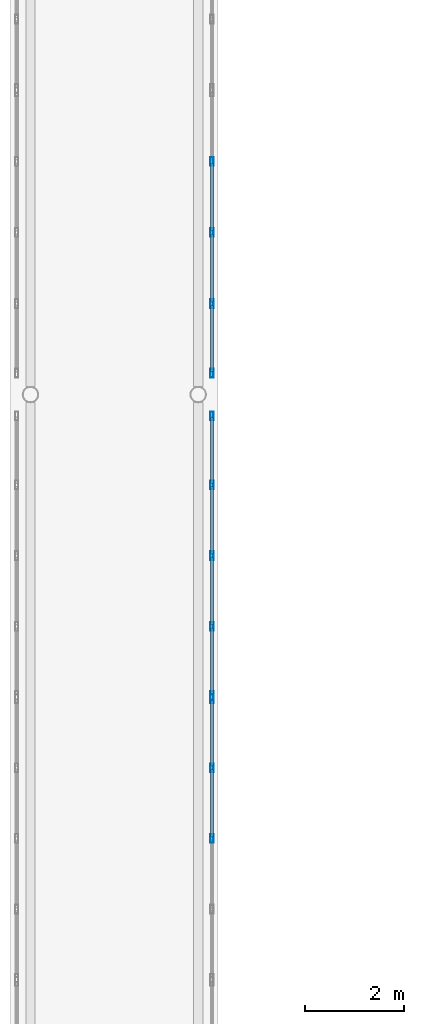
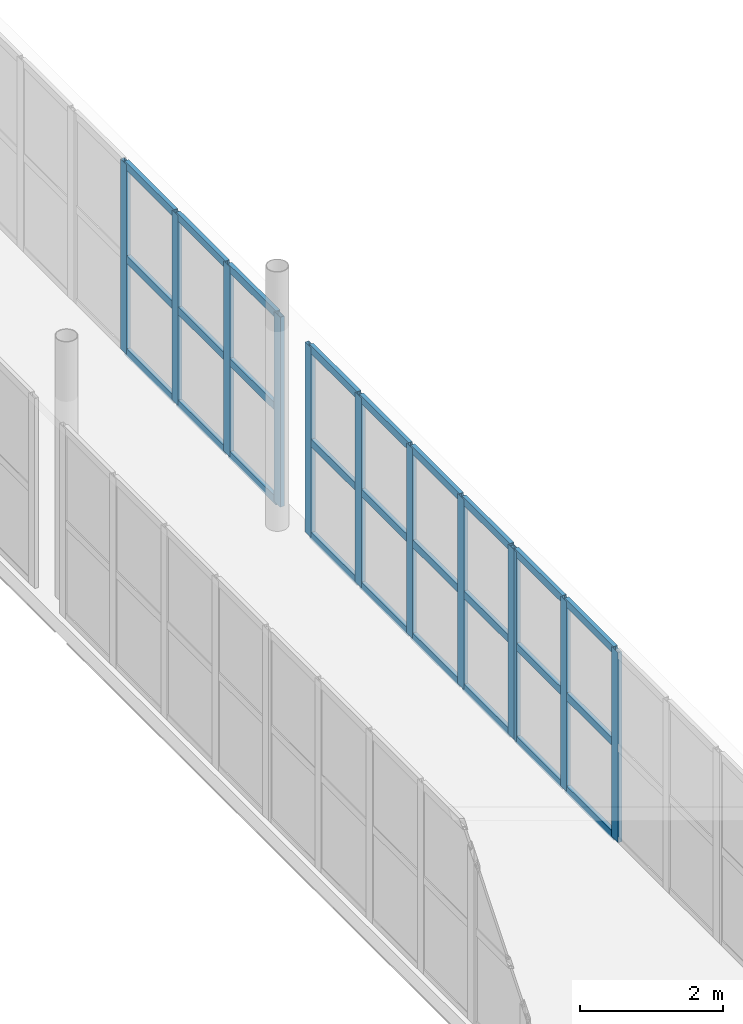
# One storey, part 57 of 142: 39 members, 3 elements without a shape of their own.
"""IFC4 building model written with IfcOpenShell, lengths in metres."""

from ifc_helpers import new_model, si_unit, direction, frame, origin, origin_2d, place, context, subcontext, project, spatial, hollow_rectangle, extrude, material, layer, layer_set, material_profile, profile_set, type_object, element, aggregate, save


model = new_model("IFC4")

# Units and contexts
model_context = context("Model", 3, precision=1e-05, world=origin(), true_north=direction((0.0, 1.0)))
body_context = subcontext(model_context, "Body", "Model", "MODEL_VIEW")
ifc_project = project(units=[si_unit("LENGTHUNIT", "METRE"), si_unit("AREAUNIT", "SQUARE_METRE"), si_unit("VOLUMEUNIT", "CUBIC_METRE"), si_unit("PLANEANGLEUNIT", "RADIAN"), si_unit("MASSUNIT", "GRAM", prefix="KILO")], contexts=[model_context])

# Site, building, storey
site_placement = place(None, origin())
site = spatial("IfcSite", under=ifc_project, at=site_placement, CompositionType="ELEMENT")
building_placement = place(site_placement, origin())
building = spatial("IfcBuilding", under=site, at=building_placement, Name="Valcora Specialist Clinic", CompositionType="ELEMENT")
storey_placement = place(building_placement, frame((0.0, 0.0, 5.10009765625)))
storey = spatial("IfcBuildingStorey", under=building, at=storey_placement, Name="L01", CompositionType="ELEMENT", Elevation=5.10009765625)

# Curtain wall, members
ifc_material = material(Name="Anodized Bronze Aluminium 6063-T6", Category="aluminium")
ifc_layer = layer(ifc_material, 0.175048828125)
ifc_layer_set = layer_set([ifc_layer], Name="Anodized Bronze Aluminium 6063-T6")
curtain_wall_type = type_object("IfcCurtainWallType", Name="TY-CW-BRG14", PredefinedType="NOTDEFINED", material=ifc_layer_set)
curtain_wall_1_placement = place(storey_placement, origin())
curtain_wall_1 = element("IfcCurtainWall", 1, at=curtain_wall_1_placement, inside=storey, type_object=curtain_wall_type, Name="Curtain wall CW-L01-244", PredefinedType="NOTDEFINED")
ifc_material_profile_1 = material_profile(ifc_material, hollow_rectangle(XDim=0.06494140625, YDim=0.175048828125, WallThickness=0.00390625, at=origin_2d()), Name="AL-MUL-65X175")
ifc_profile_set_1 = profile_set([ifc_material_profile_1], Name="Anodized Bronze Aluminium 6063-T6")
member_type_1 = type_object("IfcMemberType", Name="TY-CWM-65X175", PredefinedType="MULLION", material=ifc_profile_set_1)
member_1_placement = place(storey_placement, frame((65.280029296875, 47.0, 0.0), z_axis=(0.0, 0.0, 1.0), x_axis=(-1.0, 0.0, 0.0)))
member_1 = element("IfcMember", 2, at=member_1_placement, type_object=member_type_1, Name="CW-BRG-14 mullion 3", PredefinedType="MULLION", context=body_context, shape_type="SweptSolid", body=[
    extrude(hollow_rectangle(XDim=0.06494140625, YDim=0.175048828125, WallThickness=0.00390625, at=origin_2d()), origin(), (0.0, 0.0, 1.0), 3.239990234375),
])
member_2_placement = place(storey_placement, frame((65.280029296875, 48.433349609375, 0.0), z_axis=(0.0, 0.0, 1.0), x_axis=(-1.0, 0.0, 0.0)))
member_2 = element("IfcMember", 3, at=member_2_placement, type_object=member_type_1, Name="CW-BRG-14 mullion 4", PredefinedType="MULLION", context=body_context, shape_type="SweptSolid", body=[
    extrude(hollow_rectangle(XDim=0.06494140625, YDim=0.175048828125, WallThickness=0.00390625, at=origin_2d()), origin(), (0.0, 0.0, 1.0), 3.239990234375),
])
member_3_placement = place(storey_placement, frame((65.280029296875, 49.834228515625, 0.0), z_axis=(0.0, 0.0, 1.0), x_axis=(-1.0, 0.0, 0.0)))
member_3 = element("IfcMember", 4, at=member_3_placement, type_object=member_type_1, Name="CW-BRG-14 mullion 5", PredefinedType="MULLION", context=body_context, shape_type="SweptSolid", body=[
    extrude(hollow_rectangle(XDim=0.06494140625, YDim=0.175048828125, WallThickness=0.00390625, at=origin_2d()), origin(), (0.0, 0.0, 1.0), 3.239990234375),
])

curtain_wall_2_placement = place(storey_placement, origin())
curtain_wall_2 = element("IfcCurtainWall", 5, at=curtain_wall_2_placement, inside=storey, type_object=curtain_wall_type, Name="Curtain wall CW-L01-245", PredefinedType="NOTDEFINED")
member_4_placement = place(storey_placement, frame((65.280029296875, 49.899169921875, 0.0), z_axis=(0.0, 0.0, 1.0), x_axis=(-1.0, 0.0, 0.0)))
member_4 = element("IfcMember", 6, at=member_4_placement, type_object=member_type_1, Name="CW-BRG-14 mullion 1", PredefinedType="MULLION", context=body_context, shape_type="SweptSolid", body=[
    extrude(hollow_rectangle(XDim=0.06494140625, YDim=0.175048828125, WallThickness=0.00390625, at=origin_2d()), origin(), (0.0, 0.0, 1.0), 3.239990234375),
])
member_5_placement = place(storey_placement, frame((65.280029296875, 51.300048828125, 0.0), z_axis=(0.0, 0.0, 1.0), x_axis=(-1.0, 0.0, 0.0)))
member_5 = element("IfcMember", 7, at=member_5_placement, type_object=member_type_1, Name="CW-BRG-14 mullion 2", PredefinedType="MULLION", context=body_context, shape_type="SweptSolid", body=[
    extrude(hollow_rectangle(XDim=0.06494140625, YDim=0.175048828125, WallThickness=0.00390625, at=origin_2d()), origin(), (0.0, 0.0, 1.0), 3.239990234375),
])
member_6_placement = place(storey_placement, frame((65.280029296875, 52.7333984375, 0.0), z_axis=(0.0, 0.0, 1.0), x_axis=(-1.0, 0.0, 0.0)))
member_6 = element("IfcMember", 8, at=member_6_placement, type_object=member_type_1, Name="CW-BRG-14 mullion 3", PredefinedType="MULLION", context=body_context, shape_type="SweptSolid", body=[
    extrude(hollow_rectangle(XDim=0.06494140625, YDim=0.175048828125, WallThickness=0.00390625, at=origin_2d()), origin(), (0.0, 0.0, 1.0), 3.239990234375),
])
member_7_placement = place(storey_placement, frame((65.280029296875, 54.166748046875, 0.0), z_axis=(0.0, 0.0, 1.0), x_axis=(-1.0, 0.0, 0.0)))
member_7 = element("IfcMember", 9, at=member_7_placement, type_object=member_type_1, Name="CW-BRG-14 mullion 4", PredefinedType="MULLION", context=body_context, shape_type="SweptSolid", body=[
    extrude(hollow_rectangle(XDim=0.06494140625, YDim=0.175048828125, WallThickness=0.00390625, at=origin_2d()), origin(), (0.0, 0.0, 1.0), 3.239990234375),
])
member_8_placement = place(storey_placement, frame((65.280029296875, 55.5673828125, 0.0), z_axis=(0.0, 0.0, 1.0), x_axis=(-1.0, 0.0, 0.0)))
member_8 = element("IfcMember", 10, at=member_8_placement, type_object=member_type_1, Name="CW-BRG-14 mullion 5", PredefinedType="MULLION", context=body_context, shape_type="SweptSolid", body=[
    extrude(hollow_rectangle(XDim=0.06494140625, YDim=0.175048828125, WallThickness=0.00390625, at=origin_2d()), origin(), (0.0, 0.0, 1.0), 3.239990234375),
])

curtain_wall_3_placement = place(storey_placement, origin())
curtain_wall_3 = element("IfcCurtainWall", 11, at=curtain_wall_3_placement, inside=storey, type_object=curtain_wall_type, Name="Curtain wall CW-L01-246", PredefinedType="NOTDEFINED")
member_9_placement = place(storey_placement, frame((65.280029296875, 56.4326171875, 0.0), z_axis=(0.0, 0.0, 1.0), x_axis=(-1.0, 0.0, 0.0)))
member_9 = element("IfcMember", 12, at=member_9_placement, type_object=member_type_1, Name="CW-BRG-14 mullion 1", PredefinedType="MULLION", context=body_context, shape_type="SweptSolid", body=[
    extrude(hollow_rectangle(XDim=0.06494140625, YDim=0.175048828125, WallThickness=0.00390625, at=origin_2d()), origin(), (0.0, 0.0, 1.0), 3.239990234375),
])
member_10_placement = place(storey_placement, frame((65.280029296875, 57.841796875, 0.0), z_axis=(0.0, 0.0, 1.0), x_axis=(-1.0, 0.0, 0.0)))
member_10 = element("IfcMember", 13, at=member_10_placement, type_object=member_type_1, Name="CW-BRG-14 mullion 2", PredefinedType="MULLION", context=body_context, shape_type="SweptSolid", body=[
    extrude(hollow_rectangle(XDim=0.06494140625, YDim=0.175048828125, WallThickness=0.00390625, at=origin_2d()), origin(), (0.0, 0.0, 1.0), 3.239990234375),
])
member_11_placement = place(storey_placement, frame((65.280029296875, 59.283447265625, 0.0), z_axis=(0.0, 0.0, 1.0), x_axis=(-1.0, 0.0, 0.0)))
member_11 = element("IfcMember", 14, at=member_11_placement, type_object=member_type_1, Name="CW-BRG-14 mullion 3", PredefinedType="MULLION", context=body_context, shape_type="SweptSolid", body=[
    extrude(hollow_rectangle(XDim=0.06494140625, YDim=0.175048828125, WallThickness=0.00390625, at=origin_2d()), origin(), (0.0, 0.0, 1.0), 3.239990234375),
])
member_12_placement = place(storey_placement, frame((65.280029296875, 60.72509765625, 0.0), z_axis=(0.0, 0.0, 1.0), x_axis=(-1.0, 0.0, 0.0)))
member_12 = element("IfcMember", 15, at=member_12_placement, type_object=member_type_1, Name="CW-BRG-14 mullion 4", PredefinedType="MULLION", context=body_context, shape_type="SweptSolid", body=[
    extrude(hollow_rectangle(XDim=0.06494140625, YDim=0.175048828125, WallThickness=0.00390625, at=origin_2d()), origin(), (0.0, 0.0, 1.0), 3.239990234375),
])

# Member
ifc_material_profile_2 = material_profile(ifc_material, hollow_rectangle(XDim=0.06494140625, YDim=0.1298828125, WallThickness=0.00390625, at=origin_2d()), Name="AL-TRN-65X130")
ifc_profile_set_2 = profile_set([ifc_material_profile_2], Name="Anodized Bronze Aluminium 6063-T6")
member_type_2 = type_object("IfcMemberType", Name="TY-CWT-65X130", PredefinedType="USERDEFINED", material=ifc_profile_set_2)
member_13_placement = place(storey_placement, frame((65.280029296875, 47.032470703125, 0.032470703125), z_axis=(0.0, 1.0, 0.0), x_axis=(-1.0, 0.0, 0.0)))
member_13 = element("IfcMember", 16, at=member_13_placement, type_object=member_type_2, Name="CW-BRG-14 transom 3.1", ObjectType="TRANSOM", PredefinedType="USERDEFINED", context=body_context, shape_type="SweptSolid", body=[
    extrude(hollow_rectangle(XDim=0.06494140625, YDim=0.1298828125, WallThickness=0.00390625, at=origin_2d()), origin(), (0.0, 0.0, 1.0), 1.368408203125),
])

member_14_placement = place(storey_placement, frame((65.280029296875, 47.032470703125, 1.619873046875), z_axis=(0.0, 1.0, 0.0), x_axis=(-1.0, 0.0, 0.0)))
member_14 = element("IfcMember", 17, at=member_14_placement, type_object=member_type_2, Name="CW-BRG-14 transom 3.2", ObjectType="TRANSOM", PredefinedType="USERDEFINED", context=body_context, shape_type="SweptSolid", body=[
    extrude(hollow_rectangle(XDim=0.06494140625, YDim=0.1298828125, WallThickness=0.00390625, at=origin_2d()), origin(), (0.0, 0.0, 1.0), 1.368408203125),
])

member_15_placement = place(storey_placement, frame((65.280029296875, 47.032470703125, 3.20751953125), z_axis=(0.0, 1.0, 0.0), x_axis=(-1.0, 0.0, 0.0)))
member_15 = element("IfcMember", 18, at=member_15_placement, type_object=member_type_2, Name="CW-BRG-14 transom 3.3", ObjectType="TRANSOM", PredefinedType="USERDEFINED", context=body_context, shape_type="SweptSolid", body=[
    extrude(hollow_rectangle(XDim=0.06494140625, YDim=0.1298828125, WallThickness=0.00390625, at=origin_2d()), origin(), (0.0, 0.0, 1.0), 1.368408203125),
])

member_16_placement = place(storey_placement, frame((65.280029296875, 48.4658203125, 0.032470703125), z_axis=(0.0, 1.0, 0.0), x_axis=(-1.0, 0.0, 0.0)))
member_16 = element("IfcMember", 19, at=member_16_placement, type_object=member_type_2, Name="CW-BRG-14 transom 4.1", ObjectType="TRANSOM", PredefinedType="USERDEFINED", context=body_context, shape_type="SweptSolid", body=[
    extrude(hollow_rectangle(XDim=0.06494140625, YDim=0.1298828125, WallThickness=0.00390625, at=origin_2d()), origin(), (0.0, 0.0, 1.0), 1.3359375),
])

member_17_placement = place(storey_placement, frame((65.280029296875, 48.4658203125, 1.619873046875), z_axis=(0.0, 1.0, 0.0), x_axis=(-1.0, 0.0, 0.0)))
member_17 = element("IfcMember", 20, at=member_17_placement, type_object=member_type_2, Name="CW-BRG-14 transom 4.2", ObjectType="TRANSOM", PredefinedType="USERDEFINED", context=body_context, shape_type="SweptSolid", body=[
    extrude(hollow_rectangle(XDim=0.06494140625, YDim=0.1298828125, WallThickness=0.00390625, at=origin_2d()), origin(), (0.0, 0.0, 1.0), 1.3359375),
])

member_18_placement = place(storey_placement, frame((65.280029296875, 48.4658203125, 3.20751953125), z_axis=(0.0, 1.0, 0.0), x_axis=(-1.0, 0.0, 0.0)))
member_18 = element("IfcMember", 21, at=member_18_placement, type_object=member_type_2, Name="CW-BRG-14 transom 4.3", ObjectType="TRANSOM", PredefinedType="USERDEFINED", context=body_context, shape_type="SweptSolid", body=[
    extrude(hollow_rectangle(XDim=0.06494140625, YDim=0.1298828125, WallThickness=0.00390625, at=origin_2d()), origin(), (0.0, 0.0, 1.0), 1.3359375),
])

aggregate(curtain_wall_1, [member_1, member_2, member_3, member_13, member_14, member_15, member_16, member_17, member_18])

member_19_placement = place(storey_placement, frame((65.280029296875, 49.931640625, 0.032470703125), z_axis=(0.0, 1.0, 0.0), x_axis=(-1.0, 0.0, 0.0)))
member_19 = element("IfcMember", 22, at=member_19_placement, type_object=member_type_2, Name="CW-BRG-14 transom 1.1", ObjectType="TRANSOM", PredefinedType="USERDEFINED", context=body_context, shape_type="SweptSolid", body=[
    extrude(hollow_rectangle(XDim=0.06494140625, YDim=0.1298828125, WallThickness=0.00390625, at=origin_2d()), origin(), (0.0, 0.0, 1.0), 1.3359375),
])

member_20_placement = place(storey_placement, frame((65.280029296875, 49.931640625, 1.619873046875), z_axis=(0.0, 1.0, 0.0), x_axis=(-1.0, 0.0, 0.0)))
member_20 = element("IfcMember", 23, at=member_20_placement, type_object=member_type_2, Name="CW-BRG-14 transom 1.2", ObjectType="TRANSOM", PredefinedType="USERDEFINED", context=body_context, shape_type="SweptSolid", body=[
    extrude(hollow_rectangle(XDim=0.06494140625, YDim=0.1298828125, WallThickness=0.00390625, at=origin_2d()), origin(), (0.0, 0.0, 1.0), 1.3359375),
])

member_21_placement = place(storey_placement, frame((65.280029296875, 49.931640625, 3.20751953125), z_axis=(0.0, 1.0, 0.0), x_axis=(-1.0, 0.0, 0.0)))
member_21 = element("IfcMember", 24, at=member_21_placement, type_object=member_type_2, Name="CW-BRG-14 transom 1.3", ObjectType="TRANSOM", PredefinedType="USERDEFINED", context=body_context, shape_type="SweptSolid", body=[
    extrude(hollow_rectangle(XDim=0.06494140625, YDim=0.1298828125, WallThickness=0.00390625, at=origin_2d()), origin(), (0.0, 0.0, 1.0), 1.3359375),
])

member_22_placement = place(storey_placement, frame((65.280029296875, 51.33251953125, 0.032470703125), z_axis=(0.0, 1.0, 0.0), x_axis=(-1.0, 0.0, 0.0)))
member_22 = element("IfcMember", 25, at=member_22_placement, type_object=member_type_2, Name="CW-BRG-14 transom 2.1", ObjectType="TRANSOM", PredefinedType="USERDEFINED", context=body_context, shape_type="SweptSolid", body=[
    extrude(hollow_rectangle(XDim=0.06494140625, YDim=0.1298828125, WallThickness=0.00390625, at=origin_2d()), origin(), (0.0, 0.0, 1.0), 1.368408203125),
])

member_23_placement = place(storey_placement, frame((65.280029296875, 51.33251953125, 1.619873046875), z_axis=(0.0, 1.0, 0.0), x_axis=(-1.0, 0.0, 0.0)))
member_23 = element("IfcMember", 26, at=member_23_placement, type_object=member_type_2, Name="CW-BRG-14 transom 2.2", ObjectType="TRANSOM", PredefinedType="USERDEFINED", context=body_context, shape_type="SweptSolid", body=[
    extrude(hollow_rectangle(XDim=0.06494140625, YDim=0.1298828125, WallThickness=0.00390625, at=origin_2d()), origin(), (0.0, 0.0, 1.0), 1.368408203125),
])

member_24_placement = place(storey_placement, frame((65.280029296875, 51.33251953125, 3.20751953125), z_axis=(0.0, 1.0, 0.0), x_axis=(-1.0, 0.0, 0.0)))
member_24 = element("IfcMember", 27, at=member_24_placement, type_object=member_type_2, Name="CW-BRG-14 transom 2.3", ObjectType="TRANSOM", PredefinedType="USERDEFINED", context=body_context, shape_type="SweptSolid", body=[
    extrude(hollow_rectangle(XDim=0.06494140625, YDim=0.1298828125, WallThickness=0.00390625, at=origin_2d()), origin(), (0.0, 0.0, 1.0), 1.368408203125),
])

member_25_placement = place(storey_placement, frame((65.280029296875, 52.765869140625, 0.032470703125), z_axis=(0.0, 1.0, 0.0), x_axis=(-1.0, 0.0, 0.0)))
member_25 = element("IfcMember", 28, at=member_25_placement, type_object=member_type_2, Name="CW-BRG-14 transom 3.1", ObjectType="TRANSOM", PredefinedType="USERDEFINED", context=body_context, shape_type="SweptSolid", body=[
    extrude(hollow_rectangle(XDim=0.06494140625, YDim=0.1298828125, WallThickness=0.00390625, at=origin_2d()), origin(), (0.0, 0.0, 1.0), 1.368408203125),
])

member_26_placement = place(storey_placement, frame((65.280029296875, 52.765869140625, 1.619873046875), z_axis=(0.0, 1.0, 0.0), x_axis=(-1.0, 0.0, 0.0)))
member_26 = element("IfcMember", 29, at=member_26_placement, type_object=member_type_2, Name="CW-BRG-14 transom 3.2", ObjectType="TRANSOM", PredefinedType="USERDEFINED", context=body_context, shape_type="SweptSolid", body=[
    extrude(hollow_rectangle(XDim=0.06494140625, YDim=0.1298828125, WallThickness=0.00390625, at=origin_2d()), origin(), (0.0, 0.0, 1.0), 1.368408203125),
])

member_27_placement = place(storey_placement, frame((65.280029296875, 52.765869140625, 3.20751953125), z_axis=(0.0, 1.0, 0.0), x_axis=(-1.0, 0.0, 0.0)))
member_27 = element("IfcMember", 30, at=member_27_placement, type_object=member_type_2, Name="CW-BRG-14 transom 3.3", ObjectType="TRANSOM", PredefinedType="USERDEFINED", context=body_context, shape_type="SweptSolid", body=[
    extrude(hollow_rectangle(XDim=0.06494140625, YDim=0.1298828125, WallThickness=0.00390625, at=origin_2d()), origin(), (0.0, 0.0, 1.0), 1.368408203125),
])

member_28_placement = place(storey_placement, frame((65.280029296875, 54.19921875, 0.032470703125), z_axis=(0.0, 1.0, 0.0), x_axis=(-1.0, 0.0, 0.0)))
member_28 = element("IfcMember", 31, at=member_28_placement, type_object=member_type_2, Name="CW-BRG-14 transom 4.1", ObjectType="TRANSOM", PredefinedType="USERDEFINED", context=body_context, shape_type="SweptSolid", body=[
    extrude(hollow_rectangle(XDim=0.06494140625, YDim=0.1298828125, WallThickness=0.00390625, at=origin_2d()), origin(), (0.0, 0.0, 1.0), 1.335693359375),
])

member_29_placement = place(storey_placement, frame((65.280029296875, 54.19921875, 1.619873046875), z_axis=(0.0, 1.0, 0.0), x_axis=(-1.0, 0.0, 0.0)))
member_29 = element("IfcMember", 32, at=member_29_placement, type_object=member_type_2, Name="CW-BRG-14 transom 4.2", ObjectType="TRANSOM", PredefinedType="USERDEFINED", context=body_context, shape_type="SweptSolid", body=[
    extrude(hollow_rectangle(XDim=0.06494140625, YDim=0.1298828125, WallThickness=0.00390625, at=origin_2d()), origin(), (0.0, 0.0, 1.0), 1.335693359375),
])

member_30_placement = place(storey_placement, frame((65.280029296875, 54.19921875, 3.20751953125), z_axis=(0.0, 1.0, 0.0), x_axis=(-1.0, 0.0, 0.0)))
member_30 = element("IfcMember", 33, at=member_30_placement, type_object=member_type_2, Name="CW-BRG-14 transom 4.3", ObjectType="TRANSOM", PredefinedType="USERDEFINED", context=body_context, shape_type="SweptSolid", body=[
    extrude(hollow_rectangle(XDim=0.06494140625, YDim=0.1298828125, WallThickness=0.00390625, at=origin_2d()), origin(), (0.0, 0.0, 1.0), 1.335693359375),
])

aggregate(curtain_wall_2, [member_4, member_5, member_6, member_7, member_8, member_19, member_20, member_21, member_22, member_23, member_24, member_25, member_26, member_27, member_28, member_29, member_30])

member_31_placement = place(storey_placement, frame((65.280029296875, 56.465087890625, 0.032470703125), z_axis=(0.0, 1.0, 0.0), x_axis=(-1.0, 0.0, 0.0)))
member_31 = element("IfcMember", 34, at=member_31_placement, type_object=member_type_2, Name="CW-BRG-14 transom 1.1", ObjectType="TRANSOM", PredefinedType="USERDEFINED", context=body_context, shape_type="SweptSolid", body=[
    extrude(hollow_rectangle(XDim=0.06494140625, YDim=0.1298828125, WallThickness=0.00390625, at=origin_2d()), origin(), (0.0, 0.0, 1.0), 1.343994140625),
])

member_32_placement = place(storey_placement, frame((65.280029296875, 56.465087890625, 1.619873046875), z_axis=(0.0, 1.0, 0.0), x_axis=(-1.0, 0.0, 0.0)))
member_32 = element("IfcMember", 35, at=member_32_placement, type_object=member_type_2, Name="CW-BRG-14 transom 1.2", ObjectType="TRANSOM", PredefinedType="USERDEFINED", context=body_context, shape_type="SweptSolid", body=[
    extrude(hollow_rectangle(XDim=0.06494140625, YDim=0.1298828125, WallThickness=0.00390625, at=origin_2d()), origin(), (0.0, 0.0, 1.0), 1.343994140625),
])

member_33_placement = place(storey_placement, frame((65.280029296875, 56.465087890625, 3.20751953125), z_axis=(0.0, 1.0, 0.0), x_axis=(-1.0, 0.0, 0.0)))
member_33 = element("IfcMember", 36, at=member_33_placement, type_object=member_type_2, Name="CW-BRG-14 transom 1.3", ObjectType="TRANSOM", PredefinedType="USERDEFINED", context=body_context, shape_type="SweptSolid", body=[
    extrude(hollow_rectangle(XDim=0.06494140625, YDim=0.1298828125, WallThickness=0.00390625, at=origin_2d()), origin(), (0.0, 0.0, 1.0), 1.343994140625),
])

member_34_placement = place(storey_placement, frame((65.280029296875, 57.874267578125, 0.032470703125), z_axis=(0.0, 1.0, 0.0), x_axis=(-1.0, 0.0, 0.0)))
member_34 = element("IfcMember", 37, at=member_34_placement, type_object=member_type_2, Name="CW-BRG-14 transom 2.1", ObjectType="TRANSOM", PredefinedType="USERDEFINED", context=body_context, shape_type="SweptSolid", body=[
    extrude(hollow_rectangle(XDim=0.06494140625, YDim=0.1298828125, WallThickness=0.00390625, at=origin_2d()), origin(), (0.0, 0.0, 1.0), 1.37646484375),
])

member_35_placement = place(storey_placement, frame((65.280029296875, 57.874267578125, 1.619873046875), z_axis=(0.0, 1.0, 0.0), x_axis=(-1.0, 0.0, 0.0)))
member_35 = element("IfcMember", 38, at=member_35_placement, type_object=member_type_2, Name="CW-BRG-14 transom 2.2", ObjectType="TRANSOM", PredefinedType="USERDEFINED", context=body_context, shape_type="SweptSolid", body=[
    extrude(hollow_rectangle(XDim=0.06494140625, YDim=0.1298828125, WallThickness=0.00390625, at=origin_2d()), origin(), (0.0, 0.0, 1.0), 1.37646484375),
])

member_36_placement = place(storey_placement, frame((65.280029296875, 57.874267578125, 3.20751953125), z_axis=(0.0, 1.0, 0.0), x_axis=(-1.0, 0.0, 0.0)))
member_36 = element("IfcMember", 39, at=member_36_placement, type_object=member_type_2, Name="CW-BRG-14 transom 2.3", ObjectType="TRANSOM", PredefinedType="USERDEFINED", context=body_context, shape_type="SweptSolid", body=[
    extrude(hollow_rectangle(XDim=0.06494140625, YDim=0.1298828125, WallThickness=0.00390625, at=origin_2d()), origin(), (0.0, 0.0, 1.0), 1.37646484375),
])

member_37_placement = place(storey_placement, frame((65.280029296875, 59.31591796875, 0.032470703125), z_axis=(0.0, 1.0, 0.0), x_axis=(-1.0, 0.0, 0.0)))
member_37 = element("IfcMember", 40, at=member_37_placement, type_object=member_type_2, Name="CW-BRG-14 transom 3.1", ObjectType="TRANSOM", PredefinedType="USERDEFINED", context=body_context, shape_type="SweptSolid", body=[
    extrude(hollow_rectangle(XDim=0.06494140625, YDim=0.1298828125, WallThickness=0.00390625, at=origin_2d()), origin(), (0.0, 0.0, 1.0), 1.376708984375),
])

member_38_placement = place(storey_placement, frame((65.280029296875, 59.31591796875, 1.619873046875), z_axis=(0.0, 1.0, 0.0), x_axis=(-1.0, 0.0, 0.0)))
member_38 = element("IfcMember", 41, at=member_38_placement, type_object=member_type_2, Name="CW-BRG-14 transom 3.2", ObjectType="TRANSOM", PredefinedType="USERDEFINED", context=body_context, shape_type="SweptSolid", body=[
    extrude(hollow_rectangle(XDim=0.06494140625, YDim=0.1298828125, WallThickness=0.00390625, at=origin_2d()), origin(), (0.0, 0.0, 1.0), 1.376708984375),
])

member_39_placement = place(storey_placement, frame((65.280029296875, 59.31591796875, 3.20751953125), z_axis=(0.0, 1.0, 0.0), x_axis=(-1.0, 0.0, 0.0)))
member_39 = element("IfcMember", 42, at=member_39_placement, type_object=member_type_2, Name="CW-BRG-14 transom 3.3", ObjectType="TRANSOM", PredefinedType="USERDEFINED", context=body_context, shape_type="SweptSolid", body=[
    extrude(hollow_rectangle(XDim=0.06494140625, YDim=0.1298828125, WallThickness=0.00390625, at=origin_2d()), origin(), (0.0, 0.0, 1.0), 1.376708984375),
])

aggregate(curtain_wall_3, [member_9, member_10, member_11, member_12, member_31, member_32, member_33, member_34, member_35, member_36, member_37, member_38, member_39])

save(model, "model.ifc")
